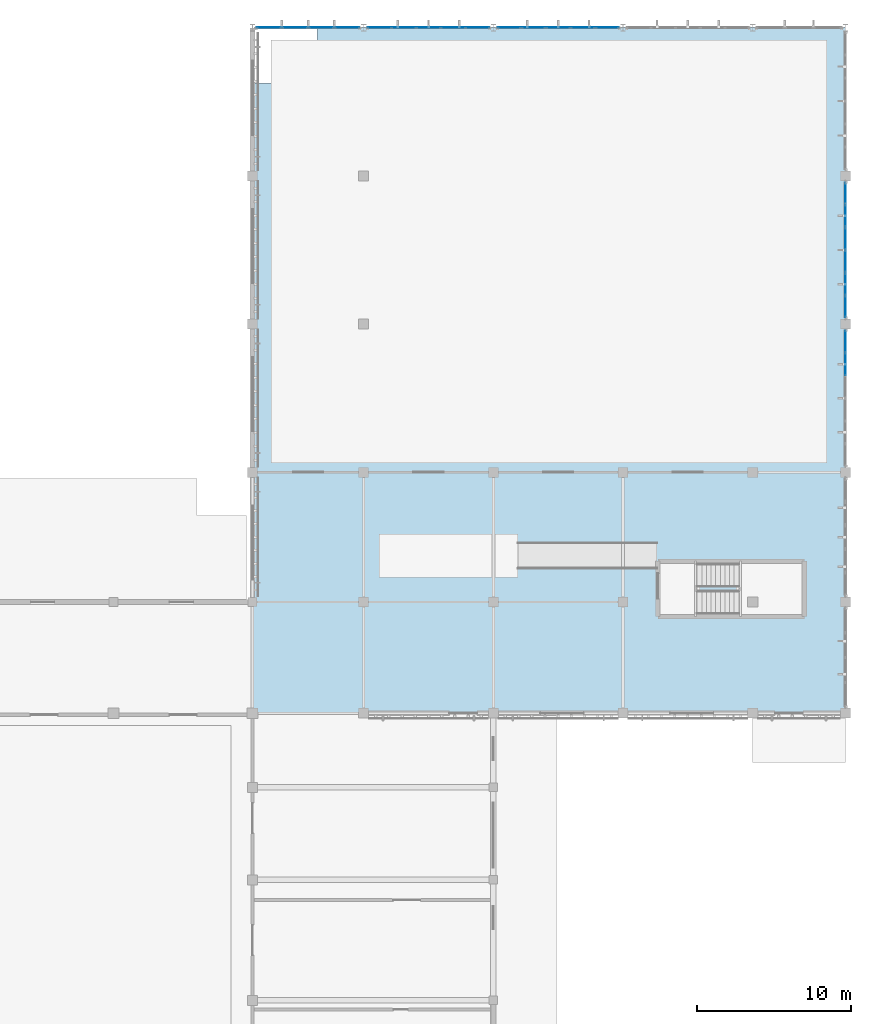
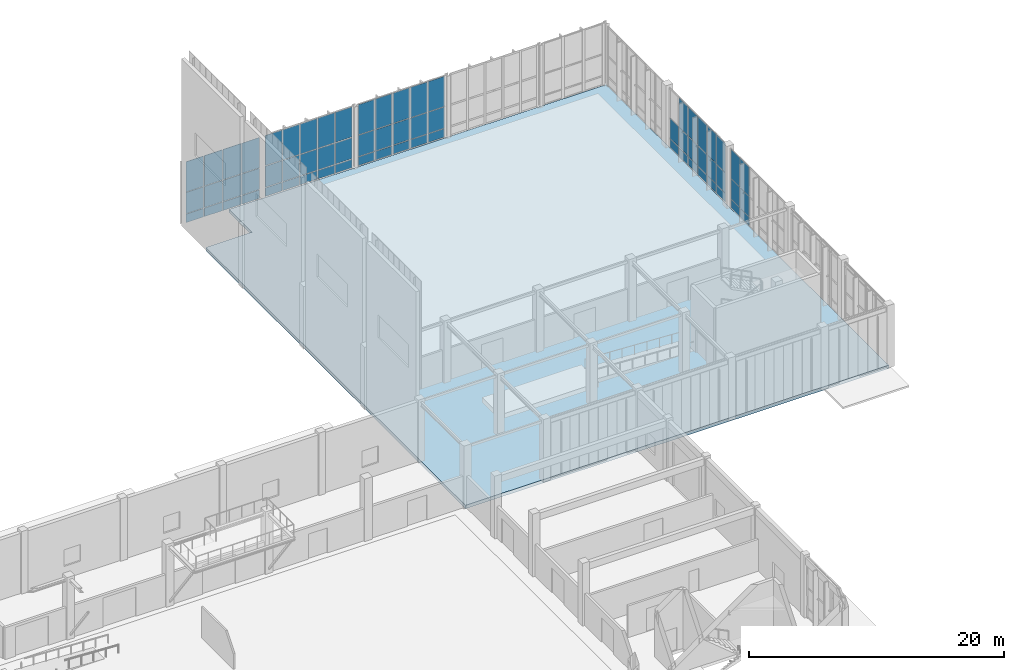
# One storey, part 70 of 110: 65 plates, 1 slab, 5 elements without a shape of their own.
"""IFC4 building model written with IfcOpenShell, lengths in metres."""

from ifc_helpers import new_model, si_unit, direction, frame, origin, origin_2d, place, context, subcontext, project, spatial, polyline, rectangle, outline, extrude, material, layer, layer_set, type_object, element, aggregate, save


model = new_model("IFC4")

# Units and contexts
model_context = context("Model", 3, precision=1e-05, world=origin(), true_north=direction((0.0, 1.0)))
body_context = subcontext(model_context, "Body", "Model", "MODEL_VIEW")
ifc_project = project(units=[si_unit("LENGTHUNIT", "METRE"), si_unit("AREAUNIT", "SQUARE_METRE"), si_unit("VOLUMEUNIT", "CUBIC_METRE"), si_unit("PLANEANGLEUNIT", "RADIAN"), si_unit("MASSUNIT", "GRAM", prefix="KILO")], contexts=[model_context])

# Site, building, storey
site_placement = place(None, origin())
site = spatial("IfcSite", under=ifc_project, at=site_placement, CompositionType="ELEMENT")
building_placement = place(site_placement, origin())
building = spatial("IfcBuilding", under=site, at=building_placement, Name="Tizgana Railside Sports Hall", CompositionType="ELEMENT")
storey_placement = place(building_placement, origin())
storey = spatial("IfcBuildingStorey", under=building, at=storey_placement, Name="L00", CompositionType="ELEMENT", Elevation=0.0)

# Curtain wall, plates
ifc_material_1 = material(Name="Anodised aluminium and glass", Category="aluminium")
curtain_wall_type_1 = type_object("IfcCurtainWallType", Name="Unitised Curtain Wall Foyer 1300", PredefinedType="NOTDEFINED", material=ifc_material_1)
curtain_wall_1_placement = place(storey_placement, origin())
curtain_wall_1 = element("IfcCurtainWall", 1, at=curtain_wall_1_placement, inside=storey, type_object=curtain_wall_type_1, Name="L00 Curtain Wall CW-0041", PredefinedType="NOTDEFINED")
ifc_material_2 = material(Name="Double low-E laminated glass", Category="glass")
ifc_layer_1 = layer(ifc_material_2, 0.033935546875, Name="Double low-E laminated glass")
ifc_layer_set_1 = layer_set([ifc_layer_1], Name="Double low-E laminated glass")
plate_type_1 = type_object("IfcPlateType", Name="Acoustic Laminated Glazing Panel 34", PredefinedType="CURTAIN_PANEL", material=ifc_layer_set_1)
plate_1_placement = place(storey_placement, frame((134.87255859375, 117.60009765625, 0.10009765625), z_axis=(0.0, 0.0, 1.0), x_axis=(1.0, 0.0, 0.0)))
plate_1 = element("IfcPlate", 2, at=plate_1_placement, type_object=plate_type_1, Name="CW-02 panel 1.1", PredefinedType="CURTAIN_PANEL", context=body_context, shape_type="SweptSolid", body=[
    extrude(rectangle(XDim=1.5849609375, YDim=0.033935546875, at=origin_2d()), origin(), (0.0, 0.0, 1.0), 0.8173828125),
])
plate_2_placement = place(storey_placement, frame((134.87255859375, 117.60009765625, 0.972412109375), z_axis=(0.0, 0.0, 1.0), x_axis=(1.0, 0.0, 0.0)))
plate_2 = element("IfcPlate", 3, at=plate_2_placement, type_object=plate_type_1, Name="CW-02 panel 1.2", PredefinedType="CURTAIN_PANEL", context=body_context, shape_type="SweptSolid", body=[
    extrude(rectangle(XDim=1.5849609375, YDim=0.033935546875, at=origin_2d()), origin(), (0.0, 0.0, 1.0), 2.0224609375),
])
plate_3_placement = place(storey_placement, frame((134.87255859375, 117.60009765625, 3.050048828125), z_axis=(0.0, 0.0, 1.0), x_axis=(1.0, 0.0, 0.0)))
plate_3 = element("IfcPlate", 4, at=plate_3_placement, type_object=plate_type_1, Name="CW-02 panel 1.3", PredefinedType="CURTAIN_PANEL", context=body_context, shape_type="SweptSolid", body=[
    extrude(rectangle(XDim=1.5849609375, YDim=0.033935546875, at=origin_2d()), origin(), (0.0, 0.0, 1.0), 2.89501953125),
])
plate_4_placement = place(storey_placement, frame((136.55126953125, 117.60009765625, 0.10009765625), z_axis=(0.0, 0.0, 1.0), x_axis=(1.0, 0.0, 0.0)))
plate_4 = element("IfcPlate", 5, at=plate_4_placement, type_object=plate_type_1, Name="CW-02 panel 2.1", PredefinedType="CURTAIN_PANEL", context=body_context, shape_type="SweptSolid", body=[
    extrude(rectangle(XDim=1.62255859375, YDim=0.033935546875, at=origin_2d()), origin(), (0.0, 0.0, 1.0), 0.8173828125),
])
plate_5_placement = place(storey_placement, frame((136.55126953125, 117.60009765625, 0.972412109375), z_axis=(0.0, 0.0, 1.0), x_axis=(1.0, 0.0, 0.0)))
plate_5 = element("IfcPlate", 6, at=plate_5_placement, type_object=plate_type_1, Name="CW-02 panel 2.2", PredefinedType="CURTAIN_PANEL", context=body_context, shape_type="SweptSolid", body=[
    extrude(rectangle(XDim=1.62255859375, YDim=0.033935546875, at=origin_2d()), origin(), (0.0, 0.0, 1.0), 2.0224609375),
])
plate_6_placement = place(storey_placement, frame((136.55126953125, 117.60009765625, 3.050048828125), z_axis=(0.0, 0.0, 1.0), x_axis=(1.0, 0.0, 0.0)))
plate_6 = element("IfcPlate", 7, at=plate_6_placement, type_object=plate_type_1, Name="CW-02 panel 2.3", PredefinedType="CURTAIN_PANEL", context=body_context, shape_type="SweptSolid", body=[
    extrude(rectangle(XDim=1.62255859375, YDim=0.033935546875, at=origin_2d()), origin(), (0.0, 0.0, 1.0), 2.89501953125),
])
plate_7_placement = place(storey_placement, frame((138.248779296875, 117.60009765625, 0.10009765625), z_axis=(0.0, 0.0, 1.0), x_axis=(1.0, 0.0, 0.0)))
plate_7 = element("IfcPlate", 8, at=plate_7_placement, type_object=plate_type_1, Name="CW-02 panel 3.1", PredefinedType="CURTAIN_PANEL", context=body_context, shape_type="SweptSolid", body=[
    extrude(rectangle(XDim=1.62255859375, YDim=0.033935546875, at=origin_2d()), origin(), (0.0, 0.0, 1.0), 0.8173828125),
])
plate_8_placement = place(storey_placement, frame((138.248779296875, 117.60009765625, 0.972412109375), z_axis=(0.0, 0.0, 1.0), x_axis=(1.0, 0.0, 0.0)))
plate_8 = element("IfcPlate", 9, at=plate_8_placement, type_object=plate_type_1, Name="CW-02 panel 3.2", PredefinedType="CURTAIN_PANEL", context=body_context, shape_type="SweptSolid", body=[
    extrude(rectangle(XDim=1.62255859375, YDim=0.033935546875, at=origin_2d()), origin(), (0.0, 0.0, 1.0), 2.0224609375),
])
plate_9_placement = place(storey_placement, frame((138.248779296875, 117.60009765625, 3.050048828125), z_axis=(0.0, 0.0, 1.0), x_axis=(1.0, 0.0, 0.0)))
plate_9 = element("IfcPlate", 10, at=plate_9_placement, type_object=plate_type_1, Name="CW-02 panel 3.3", PredefinedType="CURTAIN_PANEL", context=body_context, shape_type="SweptSolid", body=[
    extrude(rectangle(XDim=1.62255859375, YDim=0.033935546875, at=origin_2d()), origin(), (0.0, 0.0, 1.0), 2.89501953125),
])
plate_10_placement = place(storey_placement, frame((139.927490234375, 117.60009765625, 0.10009765625), z_axis=(0.0, 0.0, 1.0), x_axis=(1.0, 0.0, 0.0)))
plate_10 = element("IfcPlate", 11, at=plate_10_placement, type_object=plate_type_1, Name="CW-02 panel 4.1", PredefinedType="CURTAIN_PANEL", context=body_context, shape_type="SweptSolid", body=[
    extrude(rectangle(XDim=1.5849609375, YDim=0.033935546875, at=origin_2d()), origin(), (0.0, 0.0, 1.0), 0.8173828125),
])
plate_11_placement = place(storey_placement, frame((139.927490234375, 117.60009765625, 0.972412109375), z_axis=(0.0, 0.0, 1.0), x_axis=(1.0, 0.0, 0.0)))
plate_11 = element("IfcPlate", 12, at=plate_11_placement, type_object=plate_type_1, Name="CW-02 panel 4.2", PredefinedType="CURTAIN_PANEL", context=body_context, shape_type="SweptSolid", body=[
    extrude(rectangle(XDim=1.5849609375, YDim=0.033935546875, at=origin_2d()), origin(), (0.0, 0.0, 1.0), 2.0224609375),
])
plate_12_placement = place(storey_placement, frame((139.927490234375, 117.60009765625, 3.050048828125), z_axis=(0.0, 0.0, 1.0), x_axis=(1.0, 0.0, 0.0)))
plate_12 = element("IfcPlate", 13, at=plate_12_placement, type_object=plate_type_1, Name="CW-02 panel 4.3", PredefinedType="CURTAIN_PANEL", context=body_context, shape_type="SweptSolid", body=[
    extrude(rectangle(XDim=1.5849609375, YDim=0.033935546875, at=origin_2d()), origin(), (0.0, 0.0, 1.0), 2.89501953125),
])
aggregate(curtain_wall_1, [plate_1, plate_2, plate_3, plate_4, plate_5, plate_6, plate_7, plate_8, plate_9, plate_10, plate_11, plate_12])

curtain_wall_2_placement = place(storey_placement, origin())
curtain_wall_2 = element("IfcCurtainWall", 14, at=curtain_wall_2_placement, inside=storey, type_object=curtain_wall_type_1, Name="L00 Curtain Wall CW-0065", PredefinedType="NOTDEFINED")
plate_13_placement = place(storey_placement, frame((172.199951171875, 99.535400390625, 0.10009765625), z_axis=(0.0, 0.0, 1.0), x_axis=(0.0, 1.0, 0.0)))
plate_13 = element("IfcPlate", 15, at=plate_13_placement, type_object=plate_type_1, Name="CW-02 panel 1.1", PredefinedType="CURTAIN_PANEL", context=body_context, shape_type="SweptSolid", body=[
    extrude(rectangle(XDim=1.36083984375, YDim=0.033935546875, at=origin_2d()), origin(), (0.0, 0.0, 1.0), 0.8173828125),
])
plate_14_placement = place(storey_placement, frame((172.199951171875, 99.535400390625, 0.97265625), z_axis=(0.0, 0.0, 1.0), x_axis=(0.0, 1.0, 0.0)))
plate_14 = element("IfcPlate", 16, at=plate_14_placement, type_object=plate_type_1, Name="CW-02 panel 1.2", PredefinedType="CURTAIN_PANEL", context=body_context, shape_type="SweptSolid", body=[
    extrude(rectangle(XDim=1.36083984375, YDim=0.033935546875, at=origin_2d()), origin(), (0.0, 0.0, 1.0), 1.902587890625),
])
plate_15_placement = place(storey_placement, frame((172.199951171875, 99.535400390625, 2.929931640625), z_axis=(0.0, 0.0, 1.0), x_axis=(0.0, 1.0, 0.0)))
plate_15 = element("IfcPlate", 17, at=plate_15_placement, type_object=plate_type_1, Name="CW-02 panel 1.3", PredefinedType="CURTAIN_PANEL", context=body_context, shape_type="SweptSolid", body=[
    extrude(rectangle(XDim=1.36083984375, YDim=0.033935546875, at=origin_2d()), origin(), (0.0, 0.0, 1.0), 2.77490234375),
])
plate_16_placement = place(storey_placement, frame((172.199951171875, 100.989990234375, 0.10009765625), z_axis=(0.0, 0.0, 1.0), x_axis=(0.0, 1.0, 0.0)))
plate_16 = element("IfcPlate", 18, at=plate_16_placement, type_object=plate_type_1, Name="CW-02 panel 2.1", PredefinedType="CURTAIN_PANEL", context=body_context, shape_type="SweptSolid", body=[
    extrude(rectangle(XDim=1.3984375, YDim=0.033935546875, at=origin_2d()), origin(), (0.0, 0.0, 1.0), 0.8173828125),
])
plate_17_placement = place(storey_placement, frame((172.199951171875, 100.989990234375, 0.97265625), z_axis=(0.0, 0.0, 1.0), x_axis=(0.0, 1.0, 0.0)))
plate_17 = element("IfcPlate", 19, at=plate_17_placement, type_object=plate_type_1, Name="CW-02 panel 2.2", PredefinedType="CURTAIN_PANEL", context=body_context, shape_type="SweptSolid", body=[
    extrude(rectangle(XDim=1.3984375, YDim=0.033935546875, at=origin_2d()), origin(), (0.0, 0.0, 1.0), 1.902587890625),
])
plate_18_placement = place(storey_placement, frame((172.199951171875, 100.989990234375, 2.929931640625), z_axis=(0.0, 0.0, 1.0), x_axis=(0.0, 1.0, 0.0)))
plate_18 = element("IfcPlate", 20, at=plate_18_placement, type_object=plate_type_1, Name="CW-02 panel 2.3", PredefinedType="CURTAIN_PANEL", context=body_context, shape_type="SweptSolid", body=[
    extrude(rectangle(XDim=1.3984375, YDim=0.033935546875, at=origin_2d()), origin(), (0.0, 0.0, 1.0), 2.77490234375),
])
plate_19_placement = place(storey_placement, frame((172.199951171875, 102.46337890625, 0.10009765625), z_axis=(0.0, 0.0, 1.0), x_axis=(0.0, 1.0, 0.0)))
plate_19 = element("IfcPlate", 21, at=plate_19_placement, type_object=plate_type_1, Name="CW-02 panel 3.1", PredefinedType="CURTAIN_PANEL", context=body_context, shape_type="SweptSolid", body=[
    extrude(rectangle(XDim=1.3984375, YDim=0.033935546875, at=origin_2d()), origin(), (0.0, 0.0, 1.0), 0.8173828125),
])
plate_20_placement = place(storey_placement, frame((172.199951171875, 102.46337890625, 0.97265625), z_axis=(0.0, 0.0, 1.0), x_axis=(0.0, 1.0, 0.0)))
plate_20 = element("IfcPlate", 22, at=plate_20_placement, type_object=plate_type_1, Name="CW-02 panel 3.2", PredefinedType="CURTAIN_PANEL", context=body_context, shape_type="SweptSolid", body=[
    extrude(rectangle(XDim=1.3984375, YDim=0.033935546875, at=origin_2d()), origin(), (0.0, 0.0, 1.0), 1.902587890625),
])
plate_21_placement = place(storey_placement, frame((172.199951171875, 102.46337890625, 2.929931640625), z_axis=(0.0, 0.0, 1.0), x_axis=(0.0, 1.0, 0.0)))
plate_21 = element("IfcPlate", 23, at=plate_21_placement, type_object=plate_type_1, Name="CW-02 panel 3.3", PredefinedType="CURTAIN_PANEL", context=body_context, shape_type="SweptSolid", body=[
    extrude(rectangle(XDim=1.3984375, YDim=0.033935546875, at=origin_2d()), origin(), (0.0, 0.0, 1.0), 2.77490234375),
])
plate_22_placement = place(storey_placement, frame((172.199951171875, 103.936767578125, 0.10009765625), z_axis=(0.0, 0.0, 1.0), x_axis=(0.0, 1.0, 0.0)))
plate_22 = element("IfcPlate", 24, at=plate_22_placement, type_object=plate_type_1, Name="CW-02 panel 4.1", PredefinedType="CURTAIN_PANEL", context=body_context, shape_type="SweptSolid", body=[
    extrude(rectangle(XDim=1.3984375, YDim=0.033935546875, at=origin_2d()), origin(), (0.0, 0.0, 1.0), 0.8173828125),
])
plate_23_placement = place(storey_placement, frame((172.199951171875, 103.936767578125, 0.97265625), z_axis=(0.0, 0.0, 1.0), x_axis=(0.0, 1.0, 0.0)))
plate_23 = element("IfcPlate", 25, at=plate_23_placement, type_object=plate_type_1, Name="CW-02 panel 4.2", PredefinedType="CURTAIN_PANEL", context=body_context, shape_type="SweptSolid", body=[
    extrude(rectangle(XDim=1.3984375, YDim=0.033935546875, at=origin_2d()), origin(), (0.0, 0.0, 1.0), 1.902587890625),
])
plate_24_placement = place(storey_placement, frame((172.199951171875, 103.936767578125, 2.929931640625), z_axis=(0.0, 0.0, 1.0), x_axis=(0.0, 1.0, 0.0)))
plate_24 = element("IfcPlate", 26, at=plate_24_placement, type_object=plate_type_1, Name="CW-02 panel 4.3", PredefinedType="CURTAIN_PANEL", context=body_context, shape_type="SweptSolid", body=[
    extrude(rectangle(XDim=1.3984375, YDim=0.033935546875, at=origin_2d()), origin(), (0.0, 0.0, 1.0), 2.77490234375),
])
plate_25_placement = place(storey_placement, frame((172.199951171875, 105.409912109375, 0.10009765625), z_axis=(0.0, 0.0, 1.0), x_axis=(0.0, 1.0, 0.0)))
plate_25 = element("IfcPlate", 27, at=plate_25_placement, type_object=plate_type_1, Name="CW-02 panel 5.1", PredefinedType="CURTAIN_PANEL", context=body_context, shape_type="SweptSolid", body=[
    extrude(rectangle(XDim=1.3984375, YDim=0.033935546875, at=origin_2d()), origin(), (0.0, 0.0, 1.0), 0.8173828125),
])
plate_26_placement = place(storey_placement, frame((172.199951171875, 105.409912109375, 0.97265625), z_axis=(0.0, 0.0, 1.0), x_axis=(0.0, 1.0, 0.0)))
plate_26 = element("IfcPlate", 28, at=plate_26_placement, type_object=plate_type_1, Name="CW-02 panel 5.2", PredefinedType="CURTAIN_PANEL", context=body_context, shape_type="SweptSolid", body=[
    extrude(rectangle(XDim=1.3984375, YDim=0.033935546875, at=origin_2d()), origin(), (0.0, 0.0, 1.0), 1.902587890625),
])
plate_27_placement = place(storey_placement, frame((172.199951171875, 105.409912109375, 2.929931640625), z_axis=(0.0, 0.0, 1.0), x_axis=(0.0, 1.0, 0.0)))
plate_27 = element("IfcPlate", 29, at=plate_27_placement, type_object=plate_type_1, Name="CW-02 panel 5.3", PredefinedType="CURTAIN_PANEL", context=body_context, shape_type="SweptSolid", body=[
    extrude(rectangle(XDim=1.3984375, YDim=0.033935546875, at=origin_2d()), origin(), (0.0, 0.0, 1.0), 2.77490234375),
])
plate_28_placement = place(storey_placement, frame((172.199951171875, 106.864501953125, 0.10009765625), z_axis=(0.0, 0.0, 1.0), x_axis=(0.0, 1.0, 0.0)))
plate_28 = element("IfcPlate", 30, at=plate_28_placement, type_object=plate_type_1, Name="CW-02 panel 6.1", PredefinedType="CURTAIN_PANEL", context=body_context, shape_type="SweptSolid", body=[
    extrude(rectangle(XDim=1.36083984375, YDim=0.033935546875, at=origin_2d()), origin(), (0.0, 0.0, 1.0), 0.8173828125),
])
plate_29_placement = place(storey_placement, frame((172.199951171875, 106.864501953125, 0.97265625), z_axis=(0.0, 0.0, 1.0), x_axis=(0.0, 1.0, 0.0)))
plate_29 = element("IfcPlate", 31, at=plate_29_placement, type_object=plate_type_1, Name="CW-02 panel 6.2", PredefinedType="CURTAIN_PANEL", context=body_context, shape_type="SweptSolid", body=[
    extrude(rectangle(XDim=1.36083984375, YDim=0.033935546875, at=origin_2d()), origin(), (0.0, 0.0, 1.0), 1.902587890625),
])
aggregate(curtain_wall_2, [plate_13, plate_14, plate_15, plate_16, plate_17, plate_18, plate_19, plate_20, plate_21, plate_22, plate_23, plate_24, plate_25, plate_26, plate_27, plate_28, plate_29])

# Slab
ifc_material_3 = material(Name="Concrete C35/45", Category="concrete")
ifc_layer_2 = layer(ifc_material_3, 0.320068359375, Name="Concrete C35/45")
ifc_layer_set_2 = layer_set([ifc_layer_2], Name="Concrete C35/45")
slab_type = type_object("IfcSlabType", Name="Ground Bearing Court Slab 320", PredefinedType="BASESLAB", material=ifc_layer_set_2)
slab_placement = place(storey_placement, frame((0.0, 0.0, -0.320068359375)))
element("IfcSlab", 32, at=slab_placement, inside=storey, type_object=slab_type, Name="L00 V3 Climbing Hall Slab SLB-0008", PredefinedType="BASESLAB", context=body_context, shape_type="SweptSolid", body=[
    extrude(outline(polyline([(133.800048828125, 73.199951171875), (172.199951171875, 73.199951171875), (172.199951171875, 117.60009765625), (138.0, 117.60009765625), (138.0, 114.0), (133.800048828125, 114.0), (133.800048828125, 73.199951171875)])), origin(), (0.0, 0.0, 1.0), 0.320068359375),
])

# Curtain wall, plates
curtain_wall_type_2 = type_object("IfcCurtainWallType", Name="Unitised Curtain Wall WestHall 1560", PredefinedType="NOTDEFINED", material=ifc_material_1)
curtain_wall_3_placement = place(storey_placement, origin())
curtain_wall_3 = element("IfcCurtainWall", 33, at=curtain_wall_3_placement, inside=storey, type_object=curtain_wall_type_2, Name="L00 Curtain Wall CW-0062", PredefinedType="NOTDEFINED")
ifc_layer_3 = layer(ifc_material_2, 0.0400390625, Name="Double low-E laminated glass")
ifc_layer_set_3 = layer_set([ifc_layer_3], Name="Double low-E laminated glass")
plate_type_2 = type_object("IfcPlateType", Name="High-Span Tempered Glazing Panel 40", PredefinedType="CURTAIN_PANEL", material=ifc_layer_set_3)
plate_30_placement = place(storey_placement, frame((172.199951171875, 95.81005859375, 0.10498046875), z_axis=(0.0, 0.0, 1.0), x_axis=(0.0, 1.0, 0.0)))
plate_30 = element("IfcPlate", 34, at=plate_30_placement, type_object=plate_type_2, Name="CW-07 panel 5.1", PredefinedType="CURTAIN_PANEL", context=body_context, shape_type="SweptSolid", body=[
    extrude(rectangle(XDim=1.413330078125, YDim=0.0400390625, at=origin_2d()), origin(), (0.0, 0.0, 1.0), 0.81005859375),
])
plate_31_placement = place(storey_placement, frame((172.199951171875, 95.81005859375, 0.97509765625), z_axis=(0.0, 0.0, 1.0), x_axis=(0.0, 1.0, 0.0)))
plate_31 = element("IfcPlate", 35, at=plate_31_placement, type_object=plate_type_2, Name="CW-07 panel 5.2", PredefinedType="CURTAIN_PANEL", context=body_context, shape_type="SweptSolid", body=[
    extrude(rectangle(XDim=1.413330078125, YDim=0.0400390625, at=origin_2d()), origin(), (0.0, 0.0, 1.0), 1.8974609375),
])
plate_32_placement = place(storey_placement, frame((172.199951171875, 95.81005859375, 2.932373046875), z_axis=(0.0, 0.0, 1.0), x_axis=(0.0, 1.0, 0.0)))
plate_32 = element("IfcPlate", 36, at=plate_32_placement, type_object=plate_type_2, Name="CW-07 panel 5.3", PredefinedType="CURTAIN_PANEL", context=body_context, shape_type="SweptSolid", body=[
    extrude(rectangle(XDim=1.413330078125, YDim=0.0400390625, at=origin_2d()), origin(), (0.0, 0.0, 1.0), 2.767578125),
])
plate_33_placement = place(storey_placement, frame((172.199951171875, 97.268310546875, 0.10498046875), z_axis=(0.0, 0.0, 1.0), x_axis=(0.0, 1.0, 0.0)))
plate_33 = element("IfcPlate", 37, at=plate_33_placement, type_object=plate_type_2, Name="CW-07 panel 6.1", PredefinedType="CURTAIN_PANEL", context=body_context, shape_type="SweptSolid", body=[
    extrude(rectangle(XDim=1.38330078125, YDim=0.0400390625, at=origin_2d()), origin(), (0.0, 0.0, 1.0), 0.81005859375),
])
plate_34_placement = place(storey_placement, frame((172.199951171875, 97.268310546875, 0.97509765625), z_axis=(0.0, 0.0, 1.0), x_axis=(0.0, 1.0, 0.0)))
plate_34 = element("IfcPlate", 38, at=plate_34_placement, type_object=plate_type_2, Name="CW-07 panel 6.2", PredefinedType="CURTAIN_PANEL", context=body_context, shape_type="SweptSolid", body=[
    extrude(rectangle(XDim=1.38330078125, YDim=0.0400390625, at=origin_2d()), origin(), (0.0, 0.0, 1.0), 1.8974609375),
])
plate_35_placement = place(storey_placement, frame((172.199951171875, 97.268310546875, 2.932373046875), z_axis=(0.0, 0.0, 1.0), x_axis=(0.0, 1.0, 0.0)))
plate_35 = element("IfcPlate", 39, at=plate_35_placement, type_object=plate_type_2, Name="CW-07 panel 6.3", PredefinedType="CURTAIN_PANEL", context=body_context, shape_type="SweptSolid", body=[
    extrude(rectangle(XDim=1.38330078125, YDim=0.0400390625, at=origin_2d()), origin(), (0.0, 0.0, 1.0), 2.767578125),
])
aggregate(curtain_wall_3, [plate_30, plate_31, plate_32, plate_33, plate_34, plate_35])

curtain_wall_type_3 = type_object("IfcCurtainWallType", Name="Unitised Curtain Wall EastHall 1500", PredefinedType="NOTDEFINED", material=ifc_material_1)
curtain_wall_4_placement = place(storey_placement, origin())
curtain_wall_4 = element("IfcCurtainWall", 40, at=curtain_wall_4_placement, inside=storey, type_object=curtain_wall_type_3, Name="L00 Curtain Wall CW-0047", PredefinedType="NOTDEFINED")
ifc_layer_4 = layer(ifc_material_2, 0.031982421875, Name="Double low-E laminated glass")
ifc_layer_set_4 = layer_set([ifc_layer_4], Name="Double low-E laminated glass")
plate_type_3 = type_object("IfcPlateType", Name="North-Light Clerestory Glazing Panel 32", PredefinedType="CURTAIN_PANEL", material=ifc_layer_set_4)
plate_36_placement = place(storey_placement, frame((150.4228515625, 117.60009765625, 0.10009765625), z_axis=(0.0, 0.0, 1.0), x_axis=(1.0, 0.0, 0.0)))
plate_36 = element("IfcPlate", 41, at=plate_36_placement, type_object=plate_type_3, Name="CW-08 panel 1.1", PredefinedType="CURTAIN_PANEL", context=body_context, shape_type="SweptSolid", body=[
    extrude(rectangle(XDim=1.485595703125, YDim=0.031982421875, at=origin_2d()), origin(), (0.0, 0.0, 1.0), 0.8173828125),
])
plate_37_placement = place(storey_placement, frame((150.4228515625, 117.60009765625, 0.972412109375), z_axis=(0.0, 0.0, 1.0), x_axis=(1.0, 0.0, 0.0)))
plate_37 = element("IfcPlate", 42, at=plate_37_placement, type_object=plate_type_3, Name="CW-08 panel 1.2", PredefinedType="CURTAIN_PANEL", context=body_context, shape_type="SweptSolid", body=[
    extrude(rectangle(XDim=1.485595703125, YDim=0.031982421875, at=origin_2d()), origin(), (0.0, 0.0, 1.0), 2.0224609375),
])
plate_38_placement = place(storey_placement, frame((150.4228515625, 117.60009765625, 3.050048828125), z_axis=(0.0, 0.0, 1.0), x_axis=(1.0, 0.0, 0.0)))
plate_38 = element("IfcPlate", 43, at=plate_38_placement, type_object=plate_type_3, Name="CW-08 panel 1.3", PredefinedType="CURTAIN_PANEL", context=body_context, shape_type="SweptSolid", body=[
    extrude(rectangle(XDim=1.485595703125, YDim=0.031982421875, at=origin_2d()), origin(), (0.0, 0.0, 1.0), 2.89501953125),
])
plate_39_placement = place(storey_placement, frame((152.001953125, 117.60009765625, 0.10009765625), z_axis=(0.0, 0.0, 1.0), x_axis=(1.0, 0.0, 0.0)))
plate_39 = element("IfcPlate", 44, at=plate_39_placement, type_object=plate_type_3, Name="CW-08 panel 2.1", PredefinedType="CURTAIN_PANEL", context=body_context, shape_type="SweptSolid", body=[
    extrude(rectangle(XDim=1.52294921875, YDim=0.031982421875, at=origin_2d()), origin(), (0.0, 0.0, 1.0), 0.8173828125),
])
plate_40_placement = place(storey_placement, frame((152.001953125, 117.60009765625, 0.972412109375), z_axis=(0.0, 0.0, 1.0), x_axis=(1.0, 0.0, 0.0)))
plate_40 = element("IfcPlate", 45, at=plate_40_placement, type_object=plate_type_3, Name="CW-08 panel 2.2", PredefinedType="CURTAIN_PANEL", context=body_context, shape_type="SweptSolid", body=[
    extrude(rectangle(XDim=1.52294921875, YDim=0.031982421875, at=origin_2d()), origin(), (0.0, 0.0, 1.0), 2.0224609375),
])
plate_41_placement = place(storey_placement, frame((152.001953125, 117.60009765625, 3.050048828125), z_axis=(0.0, 0.0, 1.0), x_axis=(1.0, 0.0, 0.0)))
plate_41 = element("IfcPlate", 46, at=plate_41_placement, type_object=plate_type_3, Name="CW-08 panel 2.3", PredefinedType="CURTAIN_PANEL", context=body_context, shape_type="SweptSolid", body=[
    extrude(rectangle(XDim=1.52294921875, YDim=0.031982421875, at=origin_2d()), origin(), (0.0, 0.0, 1.0), 2.89501953125),
])
plate_42_placement = place(storey_placement, frame((153.60009765625, 117.60009765625, 0.10009765625), z_axis=(0.0, 0.0, 1.0), x_axis=(1.0, 0.0, 0.0)))
plate_42 = element("IfcPlate", 47, at=plate_42_placement, type_object=plate_type_3, Name="CW-08 panel 3.1", PredefinedType="CURTAIN_PANEL", context=body_context, shape_type="SweptSolid", body=[
    extrude(rectangle(XDim=1.52294921875, YDim=0.031982421875, at=origin_2d()), origin(), (0.0, 0.0, 1.0), 0.8173828125),
])
plate_43_placement = place(storey_placement, frame((153.60009765625, 117.60009765625, 0.972412109375), z_axis=(0.0, 0.0, 1.0), x_axis=(1.0, 0.0, 0.0)))
plate_43 = element("IfcPlate", 48, at=plate_43_placement, type_object=plate_type_3, Name="CW-08 panel 3.2", PredefinedType="CURTAIN_PANEL", context=body_context, shape_type="SweptSolid", body=[
    extrude(rectangle(XDim=1.52294921875, YDim=0.031982421875, at=origin_2d()), origin(), (0.0, 0.0, 1.0), 2.0224609375),
])
plate_44_placement = place(storey_placement, frame((153.60009765625, 117.60009765625, 3.050048828125), z_axis=(0.0, 0.0, 1.0), x_axis=(1.0, 0.0, 0.0)))
plate_44 = element("IfcPlate", 49, at=plate_44_placement, type_object=plate_type_3, Name="CW-08 panel 3.3", PredefinedType="CURTAIN_PANEL", context=body_context, shape_type="SweptSolid", body=[
    extrude(rectangle(XDim=1.52294921875, YDim=0.031982421875, at=origin_2d()), origin(), (0.0, 0.0, 1.0), 2.89501953125),
])
plate_45_placement = place(storey_placement, frame((155.197998046875, 117.60009765625, 0.10009765625), z_axis=(0.0, 0.0, 1.0), x_axis=(1.0, 0.0, 0.0)))
plate_45 = element("IfcPlate", 50, at=plate_45_placement, type_object=plate_type_3, Name="CW-08 panel 4.1", PredefinedType="CURTAIN_PANEL", context=body_context, shape_type="SweptSolid", body=[
    extrude(rectangle(XDim=1.52294921875, YDim=0.031982421875, at=origin_2d()), origin(), (0.0, 0.0, 1.0), 0.8173828125),
])
plate_46_placement = place(storey_placement, frame((155.197998046875, 117.60009765625, 0.972412109375), z_axis=(0.0, 0.0, 1.0), x_axis=(1.0, 0.0, 0.0)))
plate_46 = element("IfcPlate", 51, at=plate_46_placement, type_object=plate_type_3, Name="CW-08 panel 4.2", PredefinedType="CURTAIN_PANEL", context=body_context, shape_type="SweptSolid", body=[
    extrude(rectangle(XDim=1.52294921875, YDim=0.031982421875, at=origin_2d()), origin(), (0.0, 0.0, 1.0), 2.0224609375),
])
plate_47_placement = place(storey_placement, frame((155.197998046875, 117.60009765625, 3.050048828125), z_axis=(0.0, 0.0, 1.0), x_axis=(1.0, 0.0, 0.0)))
plate_47 = element("IfcPlate", 52, at=plate_47_placement, type_object=plate_type_3, Name="CW-08 panel 4.3", PredefinedType="CURTAIN_PANEL", context=body_context, shape_type="SweptSolid", body=[
    extrude(rectangle(XDim=1.52294921875, YDim=0.031982421875, at=origin_2d()), origin(), (0.0, 0.0, 1.0), 2.89501953125),
])
plate_48_placement = place(storey_placement, frame((156.77734375, 117.60009765625, 0.10009765625), z_axis=(0.0, 0.0, 1.0), x_axis=(1.0, 0.0, 0.0)))
plate_48 = element("IfcPlate", 53, at=plate_48_placement, type_object=plate_type_3, Name="CW-08 panel 5.1", PredefinedType="CURTAIN_PANEL", context=body_context, shape_type="SweptSolid", body=[
    extrude(rectangle(XDim=1.485595703125, YDim=0.031982421875, at=origin_2d()), origin(), (0.0, 0.0, 1.0), 0.8173828125),
])
plate_49_placement = place(storey_placement, frame((156.77734375, 117.60009765625, 0.972412109375), z_axis=(0.0, 0.0, 1.0), x_axis=(1.0, 0.0, 0.0)))
plate_49 = element("IfcPlate", 54, at=plate_49_placement, type_object=plate_type_3, Name="CW-08 panel 5.2", PredefinedType="CURTAIN_PANEL", context=body_context, shape_type="SweptSolid", body=[
    extrude(rectangle(XDim=1.485595703125, YDim=0.031982421875, at=origin_2d()), origin(), (0.0, 0.0, 1.0), 2.0224609375),
])
plate_50_placement = place(storey_placement, frame((156.77734375, 117.60009765625, 3.050048828125), z_axis=(0.0, 0.0, 1.0), x_axis=(1.0, 0.0, 0.0)))
plate_50 = element("IfcPlate", 55, at=plate_50_placement, type_object=plate_type_3, Name="CW-08 panel 5.3", PredefinedType="CURTAIN_PANEL", context=body_context, shape_type="SweptSolid", body=[
    extrude(rectangle(XDim=1.485595703125, YDim=0.031982421875, at=origin_2d()), origin(), (0.0, 0.0, 1.0), 2.89501953125),
])
aggregate(curtain_wall_4, [plate_36, plate_37, plate_38, plate_39, plate_40, plate_41, plate_42, plate_43, plate_44, plate_45, plate_46, plate_47, plate_48, plate_49, plate_50])

curtain_wall_type_4 = type_object("IfcCurtainWallType", Name="Unitised Curtain Wall Clinic 1200", PredefinedType="NOTDEFINED", material=ifc_material_1)
curtain_wall_5_placement = place(storey_placement, origin())
curtain_wall_5 = element("IfcCurtainWall", 56, at=curtain_wall_5_placement, inside=storey, type_object=curtain_wall_type_4, Name="L00 Curtain Wall CW-0044", PredefinedType="NOTDEFINED")
ifc_layer_5 = layer(ifc_material_2, 0.028076171875, Name="Double low-E laminated glass")
ifc_layer_set_5 = layer_set([ifc_layer_5], Name="Double low-E laminated glass")
plate_type_4 = type_object("IfcPlateType", Name="Solar Low-E Glazing Panel 28", PredefinedType="CURTAIN_PANEL", material=ifc_layer_set_5)
plate_51_placement = place(storey_placement, frame((142.01904296875, 117.60009765625, 0.10498046875), z_axis=(0.0, 0.0, 1.0), x_axis=(1.0, 0.0, 0.0)))
plate_51 = element("IfcPlate", 57, at=plate_51_placement, type_object=plate_type_4, Name="CW-05 panel 1.1", PredefinedType="CURTAIN_PANEL", context=body_context, shape_type="SweptSolid", body=[
    extrude(rectangle(XDim=1.508056640625, YDim=0.028076171875, at=origin_2d()), origin(), (0.0, 0.0, 1.0), 0.81005859375),
])
plate_52_placement = place(storey_placement, frame((142.01904296875, 117.60009765625, 0.974853515625), z_axis=(0.0, 0.0, 1.0), x_axis=(1.0, 0.0, 0.0)))
plate_52 = element("IfcPlate", 58, at=plate_52_placement, type_object=plate_type_4, Name="CW-05 panel 1.2", PredefinedType="CURTAIN_PANEL", context=body_context, shape_type="SweptSolid", body=[
    extrude(rectangle(XDim=1.508056640625, YDim=0.028076171875, at=origin_2d()), origin(), (0.0, 0.0, 1.0), 2.017578125),
])
plate_53_placement = place(storey_placement, frame((142.01904296875, 117.60009765625, 3.052734375), z_axis=(0.0, 0.0, 1.0), x_axis=(1.0, 0.0, 0.0)))
plate_53 = element("IfcPlate", 59, at=plate_53_placement, type_object=plate_type_4, Name="CW-05 panel 1.3", PredefinedType="CURTAIN_PANEL", context=body_context, shape_type="SweptSolid", body=[
    extrude(rectangle(XDim=1.508056640625, YDim=0.028076171875, at=origin_2d()), origin(), (0.0, 0.0, 1.0), 2.887451171875),
])
plate_54_placement = place(storey_placement, frame((143.60205078125, 117.60009765625, 0.10498046875), z_axis=(0.0, 0.0, 1.0), x_axis=(1.0, 0.0, 0.0)))
plate_54 = element("IfcPlate", 60, at=plate_54_placement, type_object=plate_type_4, Name="CW-05 panel 2.1", PredefinedType="CURTAIN_PANEL", context=body_context, shape_type="SweptSolid", body=[
    extrude(rectangle(XDim=1.5380859375, YDim=0.028076171875, at=origin_2d()), origin(), (0.0, 0.0, 1.0), 0.81005859375),
])
plate_55_placement = place(storey_placement, frame((143.60205078125, 117.60009765625, 0.974853515625), z_axis=(0.0, 0.0, 1.0), x_axis=(1.0, 0.0, 0.0)))
plate_55 = element("IfcPlate", 61, at=plate_55_placement, type_object=plate_type_4, Name="CW-05 panel 2.2", PredefinedType="CURTAIN_PANEL", context=body_context, shape_type="SweptSolid", body=[
    extrude(rectangle(XDim=1.5380859375, YDim=0.028076171875, at=origin_2d()), origin(), (0.0, 0.0, 1.0), 2.017578125),
])
plate_56_placement = place(storey_placement, frame((143.60205078125, 117.60009765625, 3.052734375), z_axis=(0.0, 0.0, 1.0), x_axis=(1.0, 0.0, 0.0)))
plate_56 = element("IfcPlate", 62, at=plate_56_placement, type_object=plate_type_4, Name="CW-05 panel 2.3", PredefinedType="CURTAIN_PANEL", context=body_context, shape_type="SweptSolid", body=[
    extrude(rectangle(XDim=1.5380859375, YDim=0.028076171875, at=origin_2d()), origin(), (0.0, 0.0, 1.0), 2.887451171875),
])
plate_57_placement = place(storey_placement, frame((145.199951171875, 117.60009765625, 0.10498046875), z_axis=(0.0, 0.0, 1.0), x_axis=(1.0, 0.0, 0.0)))
plate_57 = element("IfcPlate", 63, at=plate_57_placement, type_object=plate_type_4, Name="CW-05 panel 3.1", PredefinedType="CURTAIN_PANEL", context=body_context, shape_type="SweptSolid", body=[
    extrude(rectangle(XDim=1.5380859375, YDim=0.028076171875, at=origin_2d()), origin(), (0.0, 0.0, 1.0), 0.81005859375),
])
plate_58_placement = place(storey_placement, frame((145.199951171875, 117.60009765625, 0.974853515625), z_axis=(0.0, 0.0, 1.0), x_axis=(1.0, 0.0, 0.0)))
plate_58 = element("IfcPlate", 64, at=plate_58_placement, type_object=plate_type_4, Name="CW-05 panel 3.2", PredefinedType="CURTAIN_PANEL", context=body_context, shape_type="SweptSolid", body=[
    extrude(rectangle(XDim=1.5380859375, YDim=0.028076171875, at=origin_2d()), origin(), (0.0, 0.0, 1.0), 2.017578125),
])
plate_59_placement = place(storey_placement, frame((145.199951171875, 117.60009765625, 3.052734375), z_axis=(0.0, 0.0, 1.0), x_axis=(1.0, 0.0, 0.0)))
plate_59 = element("IfcPlate", 65, at=plate_59_placement, type_object=plate_type_4, Name="CW-05 panel 3.3", PredefinedType="CURTAIN_PANEL", context=body_context, shape_type="SweptSolid", body=[
    extrude(rectangle(XDim=1.5380859375, YDim=0.028076171875, at=origin_2d()), origin(), (0.0, 0.0, 1.0), 2.887451171875),
])
plate_60_placement = place(storey_placement, frame((146.798095703125, 117.60009765625, 0.10498046875), z_axis=(0.0, 0.0, 1.0), x_axis=(1.0, 0.0, 0.0)))
plate_60 = element("IfcPlate", 66, at=plate_60_placement, type_object=plate_type_4, Name="CW-05 panel 4.1", PredefinedType="CURTAIN_PANEL", context=body_context, shape_type="SweptSolid", body=[
    extrude(rectangle(XDim=1.5380859375, YDim=0.028076171875, at=origin_2d()), origin(), (0.0, 0.0, 1.0), 0.81005859375),
])
plate_61_placement = place(storey_placement, frame((146.798095703125, 117.60009765625, 0.974853515625), z_axis=(0.0, 0.0, 1.0), x_axis=(1.0, 0.0, 0.0)))
plate_61 = element("IfcPlate", 67, at=plate_61_placement, type_object=plate_type_4, Name="CW-05 panel 4.2", PredefinedType="CURTAIN_PANEL", context=body_context, shape_type="SweptSolid", body=[
    extrude(rectangle(XDim=1.5380859375, YDim=0.028076171875, at=origin_2d()), origin(), (0.0, 0.0, 1.0), 2.017578125),
])
plate_62_placement = place(storey_placement, frame((146.798095703125, 117.60009765625, 3.052734375), z_axis=(0.0, 0.0, 1.0), x_axis=(1.0, 0.0, 0.0)))
plate_62 = element("IfcPlate", 68, at=plate_62_placement, type_object=plate_type_4, Name="CW-05 panel 4.3", PredefinedType="CURTAIN_PANEL", context=body_context, shape_type="SweptSolid", body=[
    extrude(rectangle(XDim=1.5380859375, YDim=0.028076171875, at=origin_2d()), origin(), (0.0, 0.0, 1.0), 2.887451171875),
])
plate_63_placement = place(storey_placement, frame((148.381103515625, 117.60009765625, 0.10498046875), z_axis=(0.0, 0.0, 1.0), x_axis=(1.0, 0.0, 0.0)))
plate_63 = element("IfcPlate", 69, at=plate_63_placement, type_object=plate_type_4, Name="CW-05 panel 5.1", PredefinedType="CURTAIN_PANEL", context=body_context, shape_type="SweptSolid", body=[
    extrude(rectangle(XDim=1.508056640625, YDim=0.028076171875, at=origin_2d()), origin(), (0.0, 0.0, 1.0), 0.81005859375),
])
plate_64_placement = place(storey_placement, frame((148.381103515625, 117.60009765625, 0.974853515625), z_axis=(0.0, 0.0, 1.0), x_axis=(1.0, 0.0, 0.0)))
plate_64 = element("IfcPlate", 70, at=plate_64_placement, type_object=plate_type_4, Name="CW-05 panel 5.2", PredefinedType="CURTAIN_PANEL", context=body_context, shape_type="SweptSolid", body=[
    extrude(rectangle(XDim=1.508056640625, YDim=0.028076171875, at=origin_2d()), origin(), (0.0, 0.0, 1.0), 2.017578125),
])
plate_65_placement = place(storey_placement, frame((148.381103515625, 117.60009765625, 3.052734375), z_axis=(0.0, 0.0, 1.0), x_axis=(1.0, 0.0, 0.0)))
plate_65 = element("IfcPlate", 71, at=plate_65_placement, type_object=plate_type_4, Name="CW-05 panel 5.3", PredefinedType="CURTAIN_PANEL", context=body_context, shape_type="SweptSolid", body=[
    extrude(rectangle(XDim=1.508056640625, YDim=0.028076171875, at=origin_2d()), origin(), (0.0, 0.0, 1.0), 2.887451171875),
])
aggregate(curtain_wall_5, [plate_51, plate_52, plate_53, plate_54, plate_55, plate_56, plate_57, plate_58, plate_59, plate_60, plate_61, plate_62, plate_63, plate_64, plate_65])

save(model, "model.ifc")
